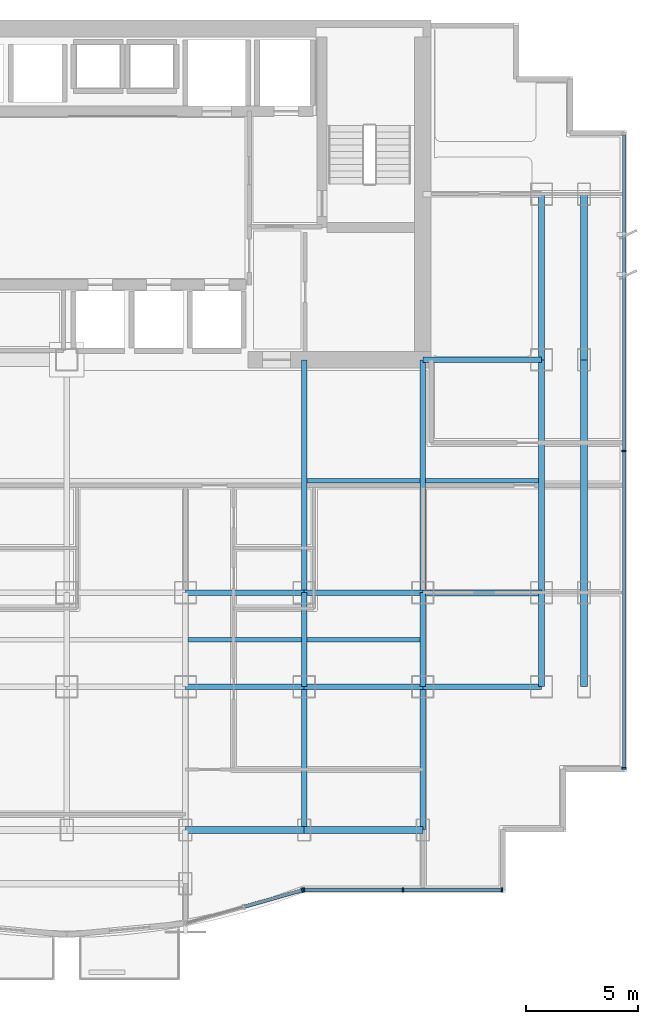
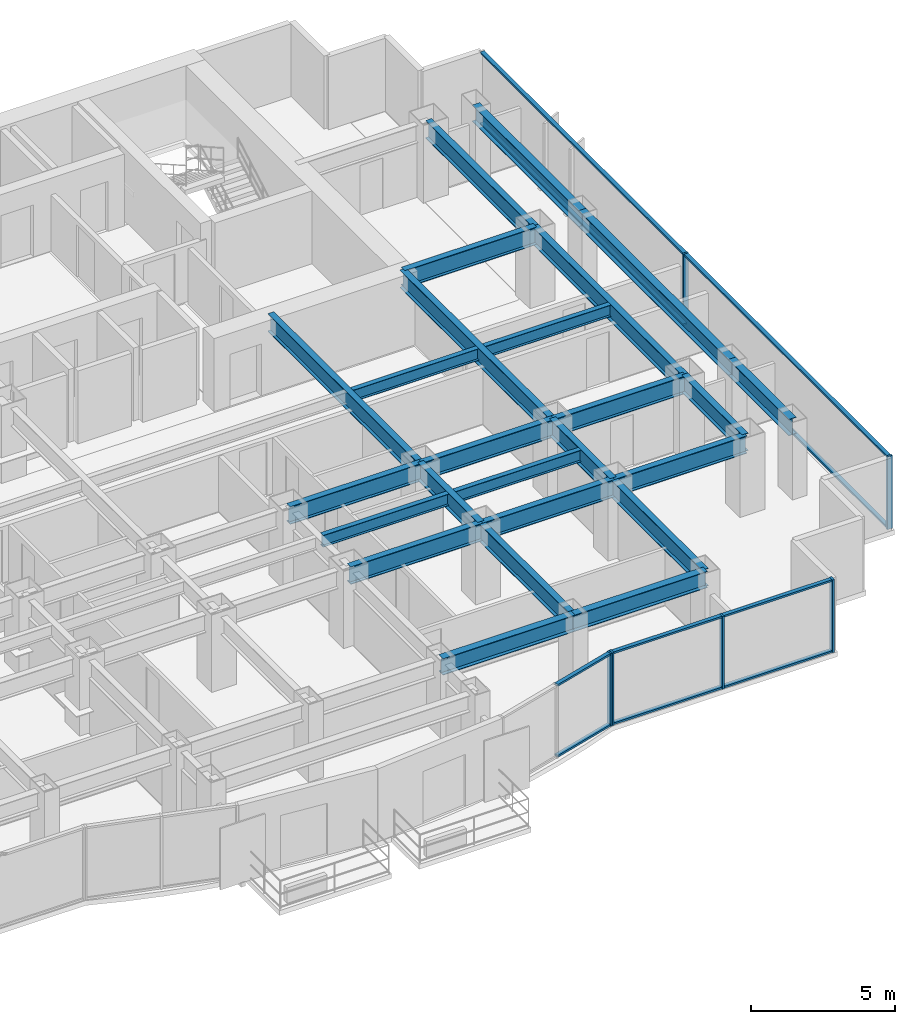
# One storey, part 3 of 11: 25 beams, 16 members, 3 elements without a shape of their own.
"""IFC4 building model written with IfcOpenShell, lengths in metres."""

from ifc_helpers import new_model, si_unit, direction, frame, origin, origin_2d, place, context, subcontext, project, spatial, rectangle, i_section, extrude, source, transform, mapped, material, layer, layer_set, material_profile, profile_set, type_object, element, aggregate, save


model = new_model("IFC4")

# Units and contexts
model_context = context("Model", 3, precision=1e-05, world=origin(), true_north=direction((0.0, 1.0)))
body_context = subcontext(model_context, "Body", "Model", "MODEL_VIEW")
ifc_project = project(units=[si_unit("LENGTHUNIT", "METRE"), si_unit("AREAUNIT", "SQUARE_METRE"), si_unit("VOLUMEUNIT", "CUBIC_METRE"), si_unit("PLANEANGLEUNIT", "RADIAN"), si_unit("MASSUNIT", "GRAM", prefix="KILO")], contexts=[model_context])

# Site, building, storey
site_placement = place(None, origin())
site = spatial("IfcSite", under=ifc_project, at=site_placement, CompositionType="ELEMENT")
building_placement = place(site_placement, origin())
building = spatial("IfcBuilding", under=site, at=building_placement, Name="Qianlan Lanfeng Residences", CompositionType="ELEMENT")
storey_placement = place(building_placement, frame((0.0, 0.0, 104.800048828125)))
storey = spatial("IfcBuildingStorey", under=building, at=storey_placement, Name="L28", CompositionType="ELEMENT", Elevation=104.800048828125)

# Beams
ifc_material_1 = material(Name="Steel SN490B", Category="steel")
ifc_material_profile_1 = material_profile(ifc_material_1, i_section(OverallWidth=0.25, OverallDepth=0.75, WebThickness=0.013916015625, FlangeThickness=0.02490234375, at=origin_2d()), Name="H 750x250x14x25")
ifc_profile_set_1 = profile_set([ifc_material_profile_1], Name="Steel SN490B")
beam_type_1 = type_object("IfcBeamType", Name="G-850", PredefinedType="BEAM", material=ifc_profile_set_1)
beam_1_placement = place(storey_placement, frame((31.800048828125, 10.60009765625, 2.71484375), z_axis=(1.0, 0.0, 0.0), x_axis=(0.0, 1.0, 0.0)))
element("IfcBeam", 1, at=beam_1_placement, inside=storey, type_object=beam_type_1, Name="Structural beam G-850", PredefinedType="BEAM", context=body_context, shape_type="SweptSolid", body=[
    extrude(i_section(OverallWidth=0.25, OverallDepth=0.75, WebThickness=0.013916015625, FlangeThickness=0.02490234375, at=origin_2d()), origin(), (0.0, 0.0, 1.0), 5.300048828125),
])
beam_2_placement = place(storey_placement, frame((37.10009765625, 10.60009765625, 2.71484375), z_axis=(1.0, 0.0, 0.0), x_axis=(0.0, 1.0, 0.0)))
element("IfcBeam", 2, at=beam_2_placement, inside=storey, type_object=beam_type_1, Name="Structural beam G-850", PredefinedType="BEAM", context=body_context, shape_type="SweptSolid", body=[
    extrude(i_section(OverallWidth=0.25, OverallDepth=0.75, WebThickness=0.013916015625, FlangeThickness=0.02490234375, at=origin_2d()), origin(), (0.0, 0.0, 1.0), 5.2998046875),
])
for number, where, z_axis, x_axis, name in (
    (3, (42.39990234375, 10.60009765625, 2.71484375), (1.0, 0.0, 0.0), (0.0, 1.0, 0.0), "Structural beam G-850"),
    (4, (31.800048828125, 14.800048828125, 2.71484375), (1.0, 0.0, 0.0), (0.0, 1.0, 0.0), "Structural beam G-850"),
):
    element("IfcBeam", number, at=place(storey_placement, frame(where, z_axis=z_axis, x_axis=x_axis)), inside=storey, type_object=beam_type_1, Name=name, PredefinedType="BEAM", context=body_context, shape_type="SweptSolid", body=[
        extrude(i_section(OverallWidth=0.25, OverallDepth=0.75, WebThickness=0.013916015625, FlangeThickness=0.02490234375, at=origin_2d()), origin(), (0.0, 0.0, 1.0), 5.300048828125),
    ])
beam_3_placement = place(storey_placement, frame((37.10009765625, 14.800048828125, 2.71484375), z_axis=(1.0, 0.0, 0.0), x_axis=(0.0, 1.0, 0.0)))
element("IfcBeam", 5, at=beam_3_placement, inside=storey, type_object=beam_type_1, Name="Structural beam G-850", PredefinedType="BEAM", context=body_context, shape_type="SweptSolid", body=[
    extrude(i_section(OverallWidth=0.25, OverallDepth=0.75, WebThickness=0.013916015625, FlangeThickness=0.02490234375, at=origin_2d()), origin(), (0.0, 0.0, 1.0), 5.2998046875),
])
for number, where, z_axis, x_axis, name in (
    (6, (42.39990234375, 14.800048828125, 2.71484375), (1.0, 0.0, 0.0), (0.0, 1.0, 0.0), "Structural beam G-850"),
    (7, (42.39990234375, 25.199951171875, 2.71484375), (1.0, 0.0, 0.0), (0.0, 1.0, 0.0), "Structural beam G-850"),
):
    element("IfcBeam", number, at=place(storey_placement, frame(where, z_axis=z_axis, x_axis=x_axis)), inside=storey, type_object=beam_type_1, Name=name, PredefinedType="BEAM", context=body_context, shape_type="SweptSolid", body=[
        extrude(i_section(OverallWidth=0.25, OverallDepth=0.75, WebThickness=0.013916015625, FlangeThickness=0.02490234375, at=origin_2d()), origin(), (0.0, 0.0, 1.0), 5.300048828125),
    ])
beam_4_placement = place(storey_placement, frame((37.10009765625, 4.199951171875, 2.71484375), z_axis=(0.0, 1.0, 0.0), x_axis=(-1.0, 0.0, 0.0)))
element("IfcBeam", 8, at=beam_4_placement, inside=storey, type_object=beam_type_1, Name="Structural beam G-850", PredefinedType="BEAM", context=body_context, shape_type="SweptSolid", body=[
    extrude(i_section(OverallWidth=0.25, OverallDepth=0.75, WebThickness=0.013916015625, FlangeThickness=0.02490234375, at=origin_2d()), origin(), (0.0, 0.0, 1.0), 6.400146484375),
])
beam_5_placement = place(storey_placement, frame((37.10009765625, 10.60009765625, 2.71484375), z_axis=(0.0, 1.0, 0.0), x_axis=(-1.0, 0.0, 0.0)))
element("IfcBeam", 9, at=beam_5_placement, inside=storey, type_object=beam_type_1, Name="Structural beam G-850", PredefinedType="BEAM", context=body_context, shape_type="SweptSolid", body=[
    extrude(i_section(OverallWidth=0.25, OverallDepth=0.75, WebThickness=0.013916015625, FlangeThickness=0.02490234375, at=origin_2d()), origin(), (0.0, 0.0, 1.0), 4.199951171875),
])
beam_6_placement = place(storey_placement, frame((37.10009765625, 14.800048828125, 2.71484375), z_axis=(0.0, 1.0, 0.0), x_axis=(-1.0, 0.0, 0.0)))
element("IfcBeam", 10, at=beam_6_placement, inside=storey, type_object=beam_type_1, Name="Structural beam G-850", PredefinedType="BEAM", context=body_context, shape_type="SweptSolid", body=[
    extrude(i_section(OverallWidth=0.25, OverallDepth=0.75, WebThickness=0.013916015625, FlangeThickness=0.02490234375, at=origin_2d()), origin(), (0.0, 0.0, 1.0), 10.39990234375),
])
beam_7_placement = place(storey_placement, frame((42.39990234375, 4.199951171875, 2.71484375), z_axis=(0.0, 1.0, 0.0), x_axis=(-1.0, 0.0, 0.0)))
element("IfcBeam", 11, at=beam_7_placement, inside=storey, type_object=beam_type_1, Name="Structural beam G-850", PredefinedType="BEAM", context=body_context, shape_type="SweptSolid", body=[
    extrude(i_section(OverallWidth=0.25, OverallDepth=0.75, WebThickness=0.013916015625, FlangeThickness=0.02490234375, at=origin_2d()), origin(), (0.0, 0.0, 1.0), 6.400146484375),
])
beam_8_placement = place(storey_placement, frame((42.39990234375, 10.60009765625, 2.71484375), z_axis=(0.0, 1.0, 0.0), x_axis=(-1.0, 0.0, 0.0)))
element("IfcBeam", 12, at=beam_8_placement, inside=storey, type_object=beam_type_1, Name="Structural beam G-850", PredefinedType="BEAM", context=body_context, shape_type="SweptSolid", body=[
    extrude(i_section(OverallWidth=0.25, OverallDepth=0.75, WebThickness=0.013916015625, FlangeThickness=0.02490234375, at=origin_2d()), origin(), (0.0, 0.0, 1.0), 4.199951171875),
])
beam_9_placement = place(storey_placement, frame((42.39990234375, 14.800048828125, 2.71484375), z_axis=(0.0, 1.0, 0.0), x_axis=(-1.0, 0.0, 0.0)))
element("IfcBeam", 13, at=beam_9_placement, inside=storey, type_object=beam_type_1, Name="Structural beam G-850", PredefinedType="BEAM", context=body_context, shape_type="SweptSolid", body=[
    extrude(i_section(OverallWidth=0.25, OverallDepth=0.75, WebThickness=0.013916015625, FlangeThickness=0.02490234375, at=origin_2d()), origin(), (0.0, 0.0, 1.0), 10.39990234375),
])
beam_10_placement = place(storey_placement, frame((47.699951171875, 10.60009765625, 2.71484375), z_axis=(0.0, 1.0, 0.0), x_axis=(-1.0, 0.0, 0.0)))
element("IfcBeam", 14, at=beam_10_placement, inside=storey, type_object=beam_type_1, Name="Structural beam G-850", PredefinedType="BEAM", context=body_context, shape_type="SweptSolid", body=[
    extrude(i_section(OverallWidth=0.25, OverallDepth=0.75, WebThickness=0.013916015625, FlangeThickness=0.02490234375, at=origin_2d()), origin(), (0.0, 0.0, 1.0), 4.199951171875),
])
beam_11_placement = place(storey_placement, frame((47.699951171875, 14.800048828125, 2.71484375), z_axis=(0.0, 1.0, 0.0), x_axis=(-1.0, 0.0, 0.0)))
element("IfcBeam", 15, at=beam_11_placement, inside=storey, type_object=beam_type_1, Name="Structural beam G-850", PredefinedType="BEAM", context=body_context, shape_type="SweptSolid", body=[
    extrude(i_section(OverallWidth=0.25, OverallDepth=0.75, WebThickness=0.013916015625, FlangeThickness=0.02490234375, at=origin_2d()), origin(), (0.0, 0.0, 1.0), 10.39990234375),
])
beam_12_placement = place(storey_placement, frame((47.699951171875, 25.199951171875, 2.71484375), z_axis=(0.0, 1.0, 0.0), x_axis=(-1.0, 0.0, 0.0)))
element("IfcBeam", 16, at=beam_12_placement, inside=storey, type_object=beam_type_1, Name="Structural beam G-850", PredefinedType="BEAM", context=body_context, shape_type="SweptSolid", body=[
    extrude(i_section(OverallWidth=0.25, OverallDepth=0.75, WebThickness=0.013916015625, FlangeThickness=0.02490234375, at=origin_2d()), origin(), (0.0, 0.0, 1.0), 7.400146484375),
])
ifc_material_profile_2 = material_profile(ifc_material_1, i_section(OverallWidth=0.199951171875, OverallDepth=0.5, WebThickness=0.010009765625, FlangeThickness=0.01611328125, at=origin_2d()), Name="H 500x200x10x16")
ifc_profile_set_2 = profile_set([ifc_material_profile_2], Name="Steel SN490B")
beam_type_2 = type_object("IfcBeamType", Name="J-500", PredefinedType="JOIST", material=ifc_profile_set_2)
beam_13_placement = place(storey_placement, frame((31.925048828125, 12.699951171875, 2.83984375), z_axis=(1.0, 0.0, 0.0), x_axis=(0.0, 1.0, 0.0)))
element("IfcBeam", 17, at=beam_13_placement, inside=storey, type_object=beam_type_2, Name="Structural beam J-500", PredefinedType="JOIST", context=body_context, shape_type="SweptSolid", body=[
    extrude(i_section(OverallWidth=0.199951171875, OverallDepth=0.5, WebThickness=0.010009765625, FlangeThickness=0.01611328125, at=origin_2d()), origin(), (0.0, 0.0, 1.0), 5.050048828125),
])
for number, where, z_axis, x_axis, name in (
    (18, (37.22509765625, 12.699951171875, 2.83984375), (1.0, 0.0, 0.0), (0.0, 1.0, 0.0), "Structural beam J-500"),
    (19, (37.22509765625, 19.800048828125, 2.83984375), (1.0, 0.0, 0.0), (0.0, 1.0, 0.0), "Structural beam J-500"),
):
    element("IfcBeam", number, at=place(storey_placement, frame(where, z_axis=z_axis, x_axis=x_axis)), inside=storey, type_object=beam_type_2, Name=name, PredefinedType="JOIST", context=body_context, shape_type="SweptSolid", body=[
        extrude(i_section(OverallWidth=0.199951171875, OverallDepth=0.5, WebThickness=0.010009765625, FlangeThickness=0.01611328125, at=origin_2d()), origin(), (0.0, 0.0, 1.0), 5.0498046875),
    ])
beam_14_placement = place(storey_placement, frame((42.52490234375, 19.800048828125, 2.83984375), z_axis=(1.0, 0.0, 0.0), x_axis=(0.0, 1.0, 0.0)))
element("IfcBeam", 20, at=beam_14_placement, inside=storey, type_object=beam_type_2, Name="Structural beam J-500", PredefinedType="JOIST", context=body_context, shape_type="SweptSolid", body=[
    extrude(i_section(OverallWidth=0.199951171875, OverallDepth=0.5, WebThickness=0.010009765625, FlangeThickness=0.01611328125, at=origin_2d()), origin(), (0.0, 0.0, 1.0), 5.050048828125),
])
ifc_material_profile_3 = material_profile(ifc_material_1, i_section(OverallWidth=0.300048828125, OverallDepth=0.699951171875, WebThickness=0.012939453125, FlangeThickness=0.02392578125, at=origin_2d()), Name="H 700x300x13x24")
ifc_profile_set_3 = profile_set([ifc_material_profile_3], Name="Steel SN490B")
beam_type_3 = type_object("IfcBeamType", Name="SG-750", PredefinedType="SPANDREL", material=ifc_profile_set_3)
beam_15_placement = place(storey_placement, frame((31.800048828125, 4.199951171875, 2.739990234375), z_axis=(1.0, 0.0, 0.0), x_axis=(0.0, 1.0, 0.0)))
element("IfcBeam", 21, at=beam_15_placement, inside=storey, type_object=beam_type_3, Name="Structural beam SG-750", PredefinedType="SPANDREL", context=body_context, shape_type="SweptSolid", body=[
    extrude(i_section(OverallWidth=0.300048828125, OverallDepth=0.699951171875, WebThickness=0.012939453125, FlangeThickness=0.02392578125, at=origin_2d()), origin(), (0.0, 0.0, 1.0), 5.300048828125),
])
beam_16_placement = place(storey_placement, frame((37.10009765625, 4.199951171875, 2.739990234375), z_axis=(1.0, 0.0, 0.0), x_axis=(0.0, 1.0, 0.0)))
element("IfcBeam", 22, at=beam_16_placement, inside=storey, type_object=beam_type_3, Name="Structural beam SG-750", PredefinedType="SPANDREL", context=body_context, shape_type="SweptSolid", body=[
    extrude(i_section(OverallWidth=0.300048828125, OverallDepth=0.699951171875, WebThickness=0.012939453125, FlangeThickness=0.02392578125, at=origin_2d()), origin(), (0.0, 0.0, 1.0), 5.2998046875),
])
beam_17_placement = place(storey_placement, frame((49.60009765625, 10.60009765625, 2.739990234375), z_axis=(0.0, 1.0, 0.0), x_axis=(-1.0, 0.0, 0.0)))
element("IfcBeam", 23, at=beam_17_placement, inside=storey, type_object=beam_type_3, Name="Structural beam SG-750", PredefinedType="SPANDREL", context=body_context, shape_type="SweptSolid", body=[
    extrude(i_section(OverallWidth=0.300048828125, OverallDepth=0.699951171875, WebThickness=0.012939453125, FlangeThickness=0.02392578125, at=origin_2d()), origin(), (0.0, 0.0, 1.0), 4.199951171875),
])
beam_18_placement = place(storey_placement, frame((49.60009765625, 14.800048828125, 2.739990234375), z_axis=(0.0, 1.0, 0.0), x_axis=(-1.0, 0.0, 0.0)))
element("IfcBeam", 24, at=beam_18_placement, inside=storey, type_object=beam_type_3, Name="Structural beam SG-750", PredefinedType="SPANDREL", context=body_context, shape_type="SweptSolid", body=[
    extrude(i_section(OverallWidth=0.300048828125, OverallDepth=0.699951171875, WebThickness=0.012939453125, FlangeThickness=0.02392578125, at=origin_2d()), origin(), (0.0, 0.0, 1.0), 10.39990234375),
])
beam_19_placement = place(storey_placement, frame((49.60009765625, 25.199951171875, 2.739990234375), z_axis=(0.0, 1.0, 0.0), x_axis=(-1.0, 0.0, 0.0)))
element("IfcBeam", 25, at=beam_19_placement, inside=storey, type_object=beam_type_3, Name="Structural beam SG-750", PredefinedType="SPANDREL", context=body_context, shape_type="SweptSolid", body=[
    extrude(i_section(OverallWidth=0.300048828125, OverallDepth=0.699951171875, WebThickness=0.012939453125, FlangeThickness=0.02392578125, at=origin_2d()), origin(), (0.0, 0.0, 1.0), 7.400146484375),
])

# Curtain wall, members
ifc_material_2 = material(Name="Anodised Bronze Aluminium 6063-T6", Category="aluminium")
ifc_layer = layer(ifc_material_2, 0.219970703125)
ifc_layer_set = layer_set([ifc_layer], Name="Anodised Bronze Aluminium 6063-T6")
curtain_wall_type = type_object("IfcCurtainWallType", Name="CW-03", PredefinedType="NOTDEFINED", material=ifc_layer_set)
curtain_wall_1_placement = place(storey_placement, origin())
curtain_wall_1 = element("IfcCurtainWall", 26, at=curtain_wall_1_placement, inside=storey, type_object=curtain_wall_type, Name="L28 Unitised Curtain Wall CWR-L28-04 (CW-03)", PredefinedType="NOTDEFINED")
ifc_material_profile_4 = material_profile(ifc_material_2, rectangle(XDim=0.080078125, YDim=0.159912109375, at=origin_2d()), Name="ALU TRANSOM 80x160")
ifc_profile_set_4 = profile_set([ifc_material_profile_4], Name="Anodised Bronze Aluminium 6063-T6")
member_type_1 = type_object("IfcMemberType", Name="CWT-180", PredefinedType="USERDEFINED", material=ifc_profile_set_4)
shared_shape_1 = source(origin(), body_context, "Body", "SweptSolid", [
    extrude(rectangle(XDim=0.080078125, YDim=0.159912109375, at=origin_2d()), origin(), (0.0, 0.0, 1.0), 4.34033203125),
])
member_1_placement = place(storey_placement, frame((41.5595703125, 1.52001953125, 0.0400390625), z_axis=(1.0, 0.0, 0.0), x_axis=(0.0, 0.0, 1.0)))
member_1 = element("IfcMember", 27, at=member_1_placement, type_object=member_type_1, Name="CWR-L28-04 Transom 2-BOT", ObjectType="TRANSOM", PredefinedType="USERDEFINED", context=body_context, shape_type="MappedRepresentation", body=[
    mapped(shared_shape_1, transform((0.0, 0.0, 0.0), scale=1.0)),
])
member_2_placement = place(storey_placement, frame((41.5595703125, 1.52001953125, 3.050048828125), z_axis=(1.0, 0.0, 0.0), x_axis=(0.0, 0.0, 1.0)))
member_2 = element("IfcMember", 28, at=member_2_placement, type_object=member_type_1, Name="CWR-L28-04 Transom 2-TOP", ObjectType="TRANSOM", PredefinedType="USERDEFINED", context=body_context, shape_type="MappedRepresentation", body=[
    mapped(shared_shape_1, transform((0.0, 0.0, 0.0), scale=1.0)),
])
shared_shape_2 = source(origin(), body_context, "Body", "SweptSolid", [
    extrude(rectangle(XDim=0.080078125, YDim=0.159912109375, at=origin_2d()), origin(), (0.0, 0.0, 1.0), 4.340576171875),
])
member_3_placement = place(storey_placement, frame((37.138916015625, 1.52001953125, 0.0400390625), z_axis=(1.0, 0.0, 0.0), x_axis=(0.0, 0.0, 1.0)))
member_3 = element("IfcMember", 29, at=member_3_placement, type_object=member_type_1, Name="CWR-L28-04 Transom 1-BOT", ObjectType="TRANSOM", PredefinedType="USERDEFINED", context=body_context, shape_type="MappedRepresentation", body=[
    mapped(shared_shape_2, transform((0.0, 0.0, 0.0), scale=1.0)),
])
member_4_placement = place(storey_placement, frame((37.138916015625, 1.52001953125, 3.050048828125), z_axis=(1.0, 0.0, 0.0), x_axis=(0.0, 0.0, 1.0)))
member_4 = element("IfcMember", 30, at=member_4_placement, type_object=member_type_1, Name="CWR-L28-04 Transom 1-TOP", ObjectType="TRANSOM", PredefinedType="USERDEFINED", context=body_context, shape_type="MappedRepresentation", body=[
    mapped(shared_shape_2, transform((0.0, 0.0, 0.0), scale=1.0)),
])

curtain_wall_2_placement = place(storey_placement, origin())
curtain_wall_2 = element("IfcCurtainWall", 31, at=curtain_wall_2_placement, inside=storey, type_object=curtain_wall_type, Name="L28 Unitised Curtain Wall CWR-L28-03 (CW-03)", PredefinedType="NOTDEFINED")
shared_shape_3 = source(origin(), body_context, "Body", "SweptSolid", [
    extrude(rectangle(XDim=0.080078125, YDim=0.159912109375, at=origin_2d()), origin(), (0.0, 0.0, 1.0), 2.63037109375),
])
member_5_placement = place(storey_placement, frame((34.451904296875, 0.77978515625, 0.0400390625), z_axis=(0.961967513886, 0.273163874312, 0.0), x_axis=(0.0, 0.0, 1.0)))
member_5 = element("IfcMember", 32, at=member_5_placement, type_object=member_type_1, Name="CWR-L28-03 Transom 2-BOT", ObjectType="TRANSOM", PredefinedType="USERDEFINED", context=body_context, shape_type="MappedRepresentation", body=[
    mapped(shared_shape_3, transform((0.0, 0.0, 0.0), scale=1.0)),
])
member_6_placement = place(storey_placement, frame((34.451904296875, 0.77978515625, 3.050048828125), z_axis=(0.961967513886, 0.273163874312, 0.0), x_axis=(0.0, 0.0, 1.0)))
member_6 = element("IfcMember", 33, at=member_6_placement, type_object=member_type_1, Name="CWR-L28-03 Transom 2-TOP", ObjectType="TRANSOM", PredefinedType="USERDEFINED", context=body_context, shape_type="MappedRepresentation", body=[
    mapped(shared_shape_3, transform((0.0, 0.0, 0.0), scale=1.0)),
])

curtain_wall_3_placement = place(storey_placement, origin())
curtain_wall_3 = element("IfcCurtainWall", 34, at=curtain_wall_3_placement, inside=storey, type_object=curtain_wall_type, Name="L28 Unitised Curtain Wall CWR-L28-05 (CW-03)", PredefinedType="NOTDEFINED")
shared_shape_4 = source(origin(), body_context, "Body", "SweptSolid", [
    extrude(rectangle(XDim=0.080078125, YDim=0.159912109375, at=origin_2d()), origin(), (0.0, 0.0, 1.0), 14.0849609375),
])
member_7_placement = place(storey_placement, frame((51.3798828125, 7.0, 0.0400390625), z_axis=(0.0, 1.0, 0.0), x_axis=(0.0, 0.0, 1.0)))
member_7 = element("IfcMember", 35, at=member_7_placement, type_object=member_type_1, Name="CWR-L28-05 Transom 1-BOT", ObjectType="TRANSOM", PredefinedType="USERDEFINED", context=body_context, shape_type="MappedRepresentation", body=[
    mapped(shared_shape_4, transform((0.0, 0.0, 0.0), scale=1.0)),
])
member_8_placement = place(storey_placement, frame((51.3798828125, 7.0, 3.050048828125), z_axis=(0.0, 1.0, 0.0), x_axis=(0.0, 0.0, 1.0)))
member_8 = element("IfcMember", 36, at=member_8_placement, type_object=member_type_1, Name="CWR-L28-05 Transom 1-TOP", ObjectType="TRANSOM", PredefinedType="USERDEFINED", context=body_context, shape_type="MappedRepresentation", body=[
    mapped(shared_shape_4, transform((0.0, 0.0, 0.0), scale=1.0)),
])
member_9_placement = place(storey_placement, frame((51.3798828125, 21.1650390625, 0.0400390625), z_axis=(0.0, 1.0, 0.0), x_axis=(0.0, 0.0, 1.0)))
member_9 = element("IfcMember", 37, at=member_9_placement, type_object=member_type_1, Name="CWR-L28-05 Transom 2-BOT", ObjectType="TRANSOM", PredefinedType="USERDEFINED", context=body_context, shape_type="MappedRepresentation", body=[
    mapped(shared_shape_4, transform((0.0, 0.0, 0.0), scale=1.0)),
])
member_10_placement = place(storey_placement, frame((51.3798828125, 21.1650390625, 3.050048828125), z_axis=(0.0, 1.0, 0.0), x_axis=(0.0, 0.0, 1.0)))
member_10 = element("IfcMember", 38, at=member_10_placement, type_object=member_type_1, Name="CWR-L28-05 Transom 2-TOP", ObjectType="TRANSOM", PredefinedType="USERDEFINED", context=body_context, shape_type="MappedRepresentation", body=[
    mapped(shared_shape_4, transform((0.0, 0.0, 0.0), scale=1.0)),
])

# Member
ifc_material_profile_5 = material_profile(ifc_material_2, rectangle(XDim=0.080078125, YDim=0.2099609375, at=origin_2d()), Name="ALU MULLION 80x210")
ifc_profile_set_5 = profile_set([ifc_material_profile_5], Name="Anodised Bronze Aluminium 6063-T6")
member_type_2 = type_object("IfcMemberType", Name="CWM-220", PredefinedType="MULLION", material=ifc_profile_set_5)
shared_shape_5 = source(origin(), body_context, "Body", "SweptSolid", [
    extrude(rectangle(XDim=0.080078125, YDim=0.2099609375, at=origin_2d()), origin(), (0.0, 0.0, 1.0), 3.08984375),
])
member_11_placement = place(storey_placement, frame((37.0205078125, 1.509033203125, 0.0), z_axis=(0.0, 0.0, 1.0), x_axis=(0.961989074302, 0.273087936247, 0.0)))
member_11 = element("IfcMember", 39, at=member_11_placement, type_object=member_type_2, Name="CWR-L28-03 Mullion 3", PredefinedType="MULLION", context=body_context, shape_type="MappedRepresentation", body=[
    mapped(shared_shape_5, transform((0.0, 0.0, 0.0), scale=1.0)),
])

aggregate(curtain_wall_2, [member_11, member_5, member_6])

member_12_placement = place(storey_placement, frame((37.09912109375, 1.52001953125, 0.0), z_axis=(0.0, 0.0, 1.0), x_axis=(1.0, 0.0, 0.0)))
member_12 = element("IfcMember", 40, at=member_12_placement, type_object=member_type_2, Name="CWR-L28-04 Mullion 1", PredefinedType="MULLION", context=body_context, shape_type="MappedRepresentation", body=[
    mapped(shared_shape_5, transform((0.0, 0.0, 0.0), scale=1.0)),
])

member_13_placement = place(storey_placement, frame((41.51953125, 1.52001953125, 0.0), z_axis=(0.0, 0.0, 1.0), x_axis=(1.0, 0.0, 0.0)))
member_13 = element("IfcMember", 41, at=member_13_placement, type_object=member_type_2, Name="CWR-L28-04 Mullion 2", PredefinedType="MULLION", context=body_context, shape_type="MappedRepresentation", body=[
    mapped(shared_shape_5, transform((0.0, 0.0, 0.0), scale=1.0)),
])

member_14_placement = place(storey_placement, frame((45.93994140625, 1.52001953125, 0.0), z_axis=(0.0, 0.0, 1.0), x_axis=(1.0, 0.0, 0.0)))
member_14 = element("IfcMember", 42, at=member_14_placement, type_object=member_type_2, Name="CWR-L28-04 Mullion 3", PredefinedType="MULLION", context=body_context, shape_type="MappedRepresentation", body=[
    mapped(shared_shape_5, transform((0.0, 0.0, 0.0), scale=1.0)),
])

aggregate(curtain_wall_1, [member_12, member_13, member_14, member_3, member_4, member_1, member_2])

member_15_placement = place(storey_placement, frame((51.3798828125, 6.9599609375, 0.0), z_axis=(0.0, 0.0, 1.0), x_axis=(0.0, 1.0, 0.0)))
member_15 = element("IfcMember", 43, at=member_15_placement, type_object=member_type_2, Name="CWR-L28-05 Mullion 1", PredefinedType="MULLION", context=body_context, shape_type="MappedRepresentation", body=[
    mapped(shared_shape_5, transform((0.0, 0.0, 0.0), scale=1.0)),
])

member_16_placement = place(storey_placement, frame((51.3798828125, 21.125, 0.0), z_axis=(0.0, 0.0, 1.0), x_axis=(0.0, 1.0, 0.0)))
member_16 = element("IfcMember", 44, at=member_16_placement, type_object=member_type_2, Name="CWR-L28-05 Mullion 2", PredefinedType="MULLION", context=body_context, shape_type="MappedRepresentation", body=[
    mapped(shared_shape_5, transform((0.0, 0.0, 0.0), scale=1.0)),
])

aggregate(curtain_wall_3, [member_15, member_16, member_7, member_8, member_9, member_10])

save(model, "model.ifc")
